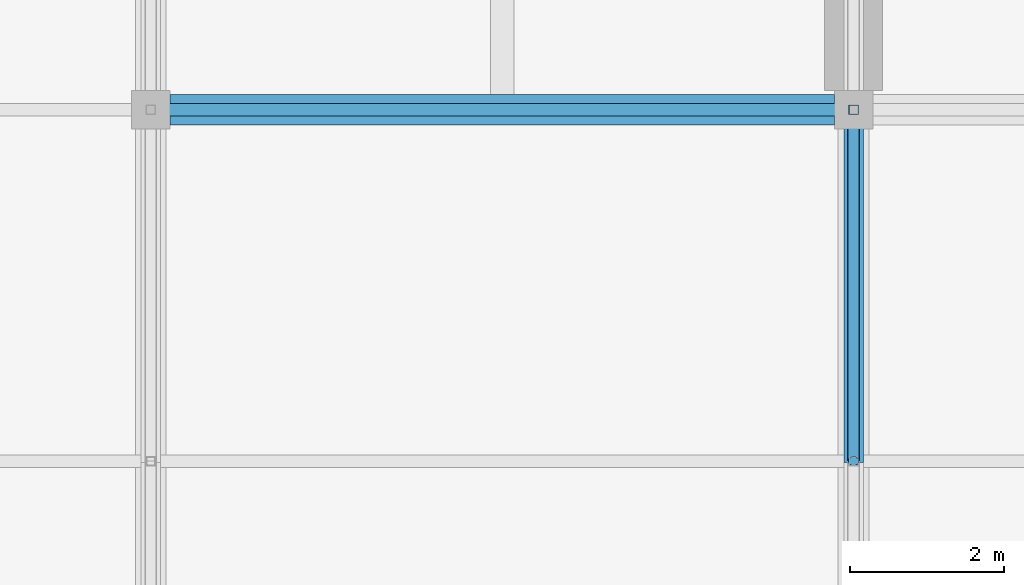
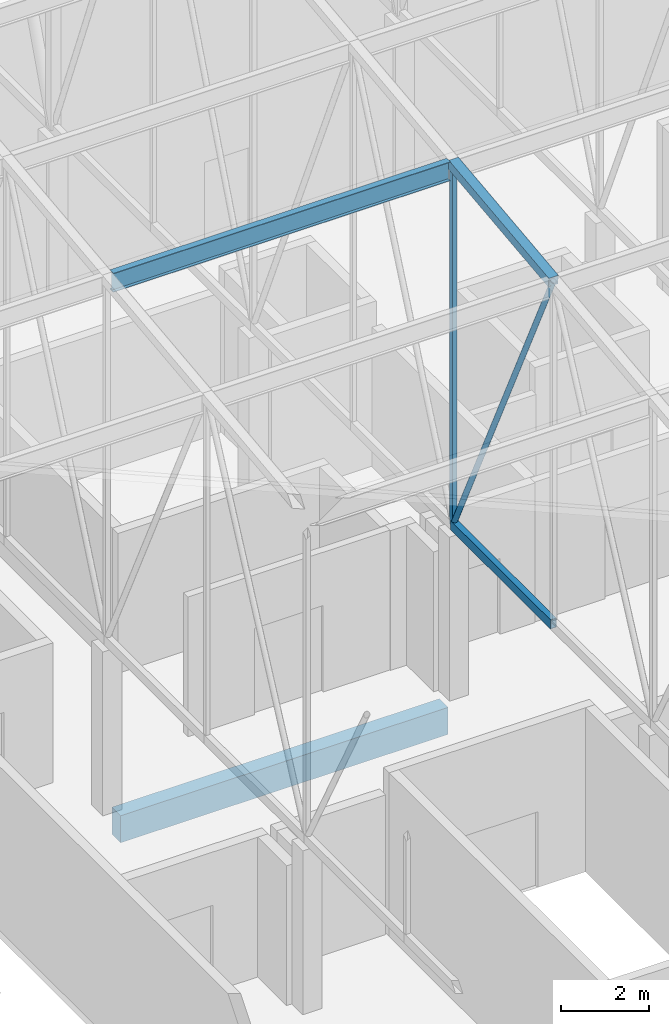
# One storey, part 126 of 500: 5 members, 1 beam.
"""IFC4 building model written with IfcOpenShell, lengths in metres."""

import ifcopenshell
import ifcopenshell.guid

model = None  # the IFC model being written
_history = None  # IfcOwnerHistory: only IFC2X3 demands one
_inside = {}  # id of a spatial element -> (the spatial element, [elements in it])
_under = {}  # id of a project, library or spatial element -> (it, [spatial elements below it])
_declared = {}  # id of a project -> (the project, [libraries it declares])
_typed = {}  # id of a type object -> (the type object, [elements of that type])
_made_of = {}  # id of a material, layer set ... -> (it, [elements and type objects made of it])


def new_model(schema):
    """Start an empty IFC model of exactly this schema.

    Asked for "IFC4X3", IfcOpenShell would pick the latest addendum, in which some entities
    have other attributes; the version numbers below select the first issue.
    IFC2X3 requires an IfcOwnerHistory on every rooted entity: one is made here for all.
    """
    global model, _history
    if schema == "IFC4X3":
        model = ifcopenshell.file(schema_version=(4, 3, 0, 0))
    else:
        model = ifcopenshell.file(schema=schema)
    _inside.clear()
    _under.clear()
    _declared.clear()
    _typed.clear()
    _made_of.clear()
    _history = None
    if model.schema == "IFC2X3":
        org = make("IfcOrganization", Name="unknown")
        user = make(
            "IfcPersonAndOrganization",
            ThePerson=make("IfcPerson", FamilyName="unknown"),
            TheOrganization=org,
        )
        app = make(
            "IfcApplication",
            ApplicationDeveloper=org,
            Version="unknown",
            ApplicationFullName="unknown",
            ApplicationIdentifier="unknown",
        )
        _history = make(
            "IfcOwnerHistory",
            OwningUser=user,
            OwningApplication=app,
            ChangeAction="ADDED",
            CreationDate=0,
        )
    return model


def make(cls, **values):
    """One entity of the class cls with the attributes given. An attribute that is None is left unset."""
    return model.create_entity(
        cls, **{name: value for name, value in values.items() if value is not None}
    )


def rooted(cls, **values):
    """An entity with a GlobalId (a new one), such as an element, a storey or a relation."""
    return make(cls, GlobalId=ifcopenshell.guid.new(), OwnerHistory=_history, **values)


def si_unit(unit_type, name, prefix=None):
    """IfcSIUnit, for example si_unit("LENGTHUNIT", "METRE", prefix="MILLI")."""
    return make("IfcSIUnit", UnitType=unit_type, Prefix=prefix, Name=name)


def assignment(units):
    """IfcUnitAssignment: the units of a project."""
    return None if units is None else make("IfcUnitAssignment", Units=units)


def point(xyz):
    """IfcCartesianPoint."""
    return None if xyz is None else make("IfcCartesianPoint", Coordinates=xyz)


def direction(xyz):
    """IfcDirection."""
    return None if xyz is None else make("IfcDirection", DirectionRatios=xyz)


def frame(location, z_axis=None, x_axis=None):
    """IfcAxis2Placement3D, a coordinate frame: its origin and axes. An axis left out is left unset."""
    return make(
        "IfcAxis2Placement3D",
        Location=point(location),
        Axis=direction(z_axis),
        RefDirection=direction(x_axis),
    )


def frame_2d(location, x_axis=None):
    """IfcAxis2Placement2D, a coordinate frame in the plane: its origin and x axis."""
    return make(
        "IfcAxis2Placement2D", Location=point(location), RefDirection=direction(x_axis)
    )


def origin():
    """The frame at (0, 0, 0) with its axes left unset."""
    return frame((0.0, 0.0, 0.0))


def origin_2d():
    """The frame at (0, 0) in the plane with its x axis left unset."""
    return frame_2d((0.0, 0.0))


def place(relative_to, where):
    """IfcLocalPlacement: puts the frame where relative to a parent placement (None: the world)."""
    return make(
        "IfcLocalPlacement", PlacementRelTo=relative_to, RelativePlacement=where
    )


def context(
    kind, dimensions, precision=None, world=None, true_north=None, identifier=None
):
    """IfcGeometricRepresentationContext, for example the 3D "Model" context."""
    return make(
        "IfcGeometricRepresentationContext",
        ContextIdentifier=identifier,
        ContextType=kind,
        CoordinateSpaceDimension=dimensions,
        Precision=precision,
        WorldCoordinateSystem=world,
        TrueNorth=true_north,
    )


def subcontext(parent, identifier, kind, view, scale=None):
    """IfcGeometricRepresentationSubContext, for example "Body" below "Model"."""
    return make(
        "IfcGeometricRepresentationSubContext",
        ContextIdentifier=identifier,
        ContextType=kind,
        ParentContext=parent,
        TargetScale=scale,
        TargetView=view,
    )


def project(units=None, contexts=None):
    """IfcProject with its units and contexts."""
    return rooted(
        "IfcProject",
        Name="project",
        RepresentationContexts=contexts,
        UnitsInContext=assignment(units),
    )


def spatial(cls, under=None, at=None, **own):
    """A site, building, storey or space (cls), placed at a placement, below another one or the project."""
    s = rooted(cls, ObjectPlacement=at, **own)
    if under is not None:
        _under.setdefault(under.id(), (under, []))[1].append(s)
    return s


def profile(cls, at=None, kind="AREA", **sizes):
    """A parametric profile (cls). Its sizes go by their IFC names, for example OverallWidth=200.0."""
    return make(cls, ProfileType=kind, Position=at, **sizes)


def rectangle(**sizes):
    """IfcRectangleProfileDef."""
    return profile("IfcRectangleProfileDef", **sizes)


def hollow_rectangle(**sizes):
    """IfcRectangleHollowProfileDef."""
    return profile("IfcRectangleHollowProfileDef", **sizes)


def hollow_circle(**sizes):
    """IfcCircleHollowProfileDef."""
    return profile("IfcCircleHollowProfileDef", **sizes)


def i_section(**sizes):
    """IfcIShapeProfileDef."""
    return profile("IfcIShapeProfileDef", **sizes)


def extrude(swept, where, along, depth):
    """IfcExtrudedAreaSolid: the profile swept, set in the frame where, extruded along a direction by depth."""
    return make(
        "IfcExtrudedAreaSolid",
        SweptArea=swept,
        Position=where,
        ExtrudedDirection=direction(along),
        Depth=depth,
    )


def shape(context_of_items, identifier, shape_type, items):
    """IfcShapeRepresentation: the items that make up one representation, for example the "Body"."""
    return make(
        "IfcShapeRepresentation",
        ContextOfItems=context_of_items,
        RepresentationIdentifier=identifier,
        RepresentationType=shape_type,
        Items=items,
    )


def material(Name=None, Category=None):
    """IfcMaterial."""
    return make("IfcMaterial", Name=Name, Category=Category)


def material_profile(
    of_material, cross_section, Name=None, Category=None, Priority=None
):
    """IfcMaterialProfile: a cross section and its material."""
    return make(
        "IfcMaterialProfile",
        Name=Name,
        Material=of_material,
        Profile=cross_section,
        Priority=Priority,
        Category=Category,
    )


def profile_set(profiles, Name=None, composite=None):
    """IfcMaterialProfileSet."""
    return make(
        "IfcMaterialProfileSet",
        Name=Name,
        MaterialProfiles=profiles,
        CompositeProfile=composite,
    )


def made_of(thing, what):
    """Note that an element or type object is made of a material, layer set ...; save() writes the relation."""
    if what is not None:
        _made_of.setdefault(what.id(), (what, []))[1].append(thing)
    return thing


def type_object(cls, material=None, **own):
    """A type object (cls), such as IfcWallType, which elements share."""
    return made_of(rooted(cls, **own), material)


def element(
    cls,
    number,
    at=None,
    inside=None,
    cuts=None,
    type_object=None,
    material=None,
    context=None,
    identifier="Body",
    shape_type=None,
    held_by="IfcProductDefinitionShape",
    body=None,
    shapes=None,
    **own,
):
    """One element of the class cls, such as IfcWall. Its Tag is "e" and its number.

    at: its placement. inside: the storey or other place that contains it. cuts: it is an
    opening in that element (IfcRelVoidsElement). A single representation is given by context,
    identifier, shape_type and body (its items); several are given by shapes. held_by: the class
    of the entity that holds the representations. save() writes the other relations.
    """
    e = rooted(cls, Tag="e%d" % number, ObjectPlacement=at, **own)
    if body is not None:
        shapes = [shape(context, identifier, shape_type, body)]
    if shapes is not None:
        e.Representation = make(held_by, Representations=shapes)
    if inside is not None:
        _inside.setdefault(inside.id(), (inside, []))[1].append(e)
    if cuts is not None:
        rooted(
            "IfcRelVoidsElement", RelatingBuildingElement=cuts, RelatedOpeningElement=e
        )
    if type_object is not None:
        _typed.setdefault(type_object.id(), (type_object, []))[1].append(e)
    return made_of(e, material)


def aggregate(whole, parts):
    """IfcRelAggregates: a whole, such as a stair, and the parts it consists of."""
    return rooted("IfcRelAggregates", RelatingObject=whole, RelatedObjects=parts)


def save(model, path):
    """Write the relations noted so far, then the file.

    IfcRelAggregates (storeys below a building ...), IfcRelContainedInSpatialStructure (elements
    in a storey), IfcRelDefinesByType, IfcRelAssociatesMaterial and IfcRelDeclares: one each for
    every whole, place, type object, material and project.
    """
    for whole, parts in _under.values():
        aggregate(whole, parts)
    for where, things in _inside.values():
        rooted(
            "IfcRelContainedInSpatialStructure",
            RelatedElements=things,
            RelatingStructure=where,
        )
    for kind, things in _typed.values():
        rooted("IfcRelDefinesByType", RelatedObjects=things, RelatingType=kind)
    for what, things in _made_of.values():
        rooted("IfcRelAssociatesMaterial", RelatedObjects=things, RelatingMaterial=what)
    for by, libraries in _declared.values():
        rooted("IfcRelDeclares", RelatingContext=by, RelatedDefinitions=libraries)
    model.write(path)


model = new_model("IFC4")

# Units and contexts
model_context = context("Model", 3, precision=1e-05, world=origin(), true_north=direction((0.0, 1.0)))
body_context = subcontext(model_context, "Body", "Model", "MODEL_VIEW")
ifc_project = project(units=[si_unit("LENGTHUNIT", "METRE"), si_unit("AREAUNIT", "SQUARE_METRE"), si_unit("VOLUMEUNIT", "CUBIC_METRE"), si_unit("PLANEANGLEUNIT", "RADIAN"), si_unit("MASSUNIT", "GRAM", prefix="KILO")], contexts=[model_context])

# Site, building, storey
site_placement = place(None, origin())
site = spatial("IfcSite", under=ifc_project, at=site_placement, CompositionType="ELEMENT")
building_placement = place(site_placement, origin())
building = spatial("IfcBuilding", under=site, at=building_placement, Name="Shirokan Park Arena", CompositionType="ELEMENT")
storey_placement = place(building_placement, frame((0.0, 0.0, 29.1201171875)))
storey = spatial("IfcBuildingStorey", under=building, at=storey_placement, Name="L06", CompositionType="ELEMENT", Elevation=29.1201171875)

# Members
ifc_material_1 = material(Name="Steel ASTM A500 Grade C", Category="steel")
ifc_material_profile_1 = material_profile(ifc_material_1, hollow_rectangle(XDim=0.152099609375, YDim=0.25390625, WallThickness=0.009521484375, at=origin_2d()), Name="HSS254X152.4X9.5")
ifc_profile_set_1 = profile_set([ifc_material_profile_1], Name="Steel ASTM A500 Grade C")
member_type_1 = type_object("IfcMemberType", Name="Bottom chord HSS254X152.4X9.5", PredefinedType="CHORD", material=ifc_profile_set_1)
member_1_placement = place(storey_placement, frame((118.300048828125, 13.64990234375, 4.677001953125), z_axis=(0.0, 1.0, 0.0), x_axis=(-1.0, 0.0, 0.0)))
element("IfcMember", 1, at=member_1_placement, inside=storey, type_object=member_type_1, Name="Truss T14 bottom chord 6", PredefinedType="CHORD", context=body_context, shape_type="SweptSolid", body=[
    extrude(hollow_rectangle(XDim=0.152099609375, YDim=0.25390625, WallThickness=0.009521484375, at=origin_2d()), origin(), (0.0, 0.0, 1.0), 4.550048828125),
])
ifc_material_2 = material(Name="Steel ASTM A992", Category="steel")
ifc_material_profile_2 = material_profile(ifc_material_2, i_section(OverallWidth=0.166015625, OverallDepth=0.528076171875, WebThickness=0.009765625, FlangeThickness=0.013671875, at=origin_2d()), Name="W530X74")
ifc_profile_set_2 = profile_set([ifc_material_profile_2], Name="Steel ASTM A992")
member_type_2 = type_object("IfcMemberType", Name="Purlin W530X74", PredefinedType="PURLIN", material=ifc_profile_set_2)
member_2_placement = place(storey_placement, frame((109.326904296875, 18.199951171875, 14.56591796875), z_axis=(1.0, 0.0, 0.0), x_axis=(0.0, 1.0, 0.0)))
element("IfcMember", 2, at=member_2_placement, inside=storey, type_object=member_type_2, Name="Purlin 7 bay 13", PredefinedType="PURLIN", context=body_context, shape_type="SweptSolid", body=[
    extrude(i_section(OverallWidth=0.166015625, OverallDepth=0.528076171875, WebThickness=0.009765625, FlangeThickness=0.013671875, at=origin_2d()), origin(), (0.0, 0.0, 1.0), 8.84619140625),
])

# Beam
ifc_material_3 = material(Name="Concrete C35", Category="concrete")
ifc_material_profile_3 = material_profile(ifc_material_3, rectangle(XDim=0.39990234375, YDim=0.75, at=origin_2d()), Name="400x750")
ifc_profile_set_3 = profile_set([ifc_material_profile_3], Name="Concrete C35")
beam_type = type_object("IfcBeamType", Name="RC girder 400x750", PredefinedType="BEAM", material=ifc_profile_set_3)
beam_placement = place(storey_placement, frame((109.4501953125, 18.199951171875, -0.5751953125), z_axis=(1.0, 0.0, 0.0), x_axis=(0.0, 1.0, 0.0)))
element("IfcBeam", 3, at=beam_placement, inside=storey, type_object=beam_type, Name="Girder 13C-14C L06", PredefinedType="BEAM", context=body_context, shape_type="SweptSolid", body=[
    extrude(rectangle(XDim=0.39990234375, YDim=0.75, at=origin_2d()), origin(), (0.0, 0.0, 1.0), 8.599609375),
])

# Members
ifc_material_profile_4 = material_profile(ifc_material_1, hollow_rectangle(XDim=0.25390625, YDim=0.25390625, WallThickness=0.009521484375, at=origin_2d()), Name="HSS254X254X9.5")
ifc_profile_set_4 = profile_set([ifc_material_profile_4], Name="Steel ASTM A500 Grade C")
member_type_3 = type_object("IfcMemberType", Name="Top chord HSS254X254X9.5", PredefinedType="CHORD", material=ifc_profile_set_4)
member_3_placement = place(storey_placement, frame((118.300048828125, 13.64990234375, 14.182861328125), z_axis=(0.0, 0.993532328996, 0.113549598152), x_axis=(-1.0, 0.0, 0.0)))
element("IfcMember", 4, at=member_3_placement, inside=storey, type_object=member_type_3, Name="Truss T14 top chord 6", PredefinedType="CHORD", context=body_context, shape_type="SweptSolid", body=[
    extrude(hollow_rectangle(XDim=0.25390625, YDim=0.25390625, WallThickness=0.009521484375, at=origin_2d()), origin(), (0.0, 0.0, 1.0), 4.57958984375),
])
ifc_material_profile_5 = material_profile(ifc_material_1, hollow_circle(Radius=0.070556640625, WallThickness=0.006591796875, at=origin_2d()), Name="HSS141.3X6.6")
ifc_profile_set_5 = profile_set([ifc_material_profile_5], Name="Steel ASTM A500 Grade C")
member_type_4 = type_object("IfcMemberType", Name="Truss diagonal HSS141.3X6.6", PredefinedType="BRACE", material=ifc_profile_set_5)
member_4_placement = place(storey_placement, frame((118.300048828125, 13.64990234375, 14.182861328125), z_axis=(0.0, 0.431746476626, -0.901994999942), x_axis=(-1.0, 0.0, 0.0)))
element("IfcMember", 5, at=member_4_placement, inside=storey, type_object=member_type_4, Name="Truss T14 diagonal 6", PredefinedType="BRACE", context=body_context, shape_type="SweptSolid", body=[
    extrude(hollow_circle(Radius=0.070556640625, WallThickness=0.006591796875, at=origin_2d()), origin(), (0.0, 0.0, 1.0), 10.538818359375),
])
ifc_material_profile_6 = material_profile(ifc_material_1, hollow_rectangle(XDim=0.126953125, YDim=0.126953125, WallThickness=0.008056640625, at=origin_2d()), Name="HSS127X127X7.9")
ifc_profile_set_6 = profile_set([ifc_material_profile_6], Name="Steel ASTM A500 Grade C")
member_type_5 = type_object("IfcMemberType", Name="Truss post HSS127X127X7.9", PredefinedType="POST", material=ifc_profile_set_6)
member_5_placement = place(storey_placement, frame((118.300048828125, 18.199951171875, 4.677001953125), z_axis=(0.0, 0.0, 1.0), x_axis=(1.0, 0.0, 0.0)))
element("IfcMember", 6, at=member_5_placement, inside=storey, type_object=member_type_5, Name="Truss T14 post 7", PredefinedType="POST", context=body_context, shape_type="SweptSolid", body=[
    extrude(hollow_rectangle(XDim=0.126953125, YDim=0.126953125, WallThickness=0.008056640625, at=origin_2d()), origin(), (0.0, 0.0, 1.0), 10.02587890625),
])

save(model, "model.ifc")
